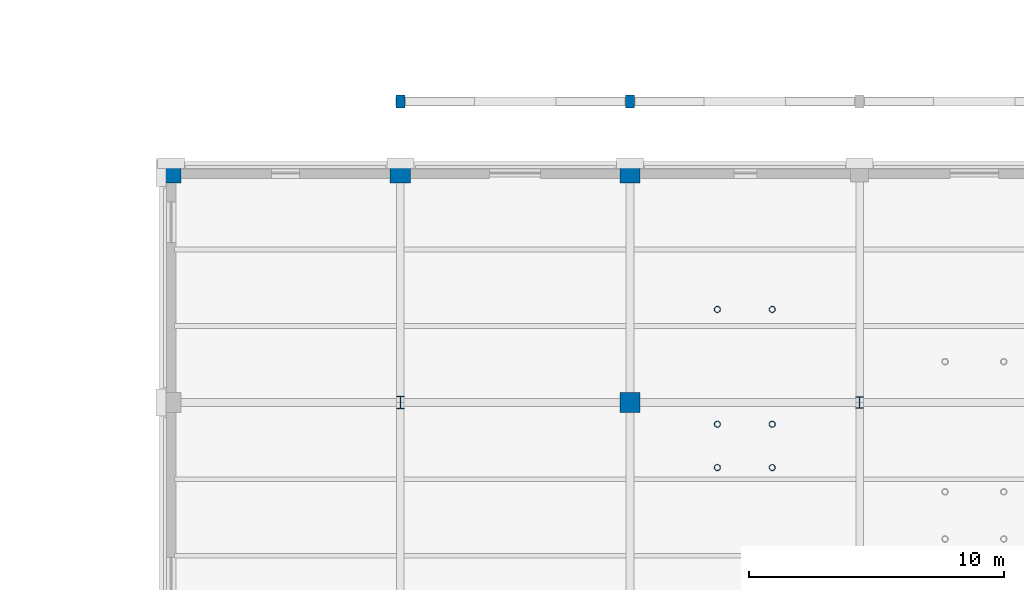
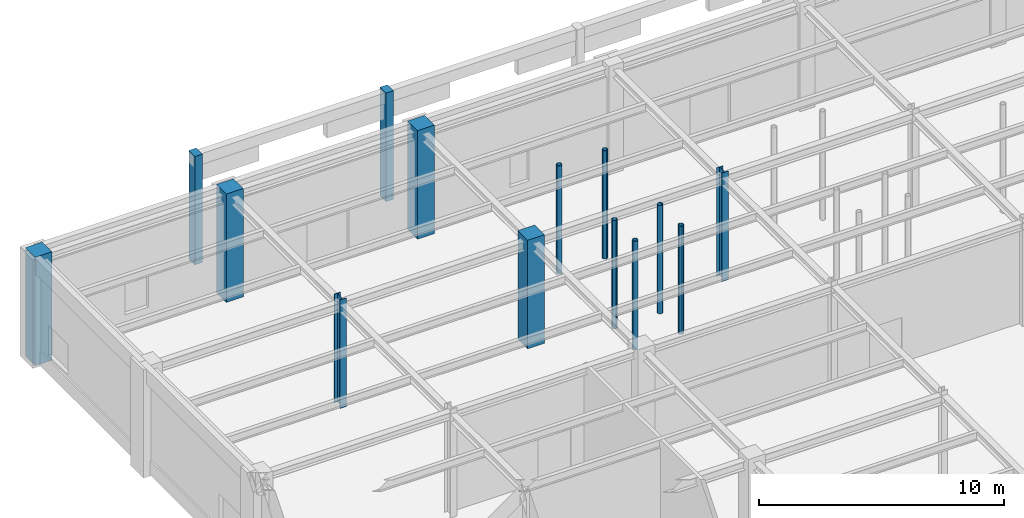
# One storey, part 9 of 77: 14 columns.
"""IFC4 building model written with IfcOpenShell, lengths in metres."""

from ifc_helpers import new_model, si_unit, direction, frame, origin, origin_2d, place, context, subcontext, project, spatial, rectangle, hollow_circle, i_section, extrude, material, material_profile, profile_set, type_object, element, save


model = new_model("IFC4")

# Units and contexts
model_context = context("Model", 3, precision=1e-05, world=origin(), true_north=direction((0.0, 1.0)))
body_context = subcontext(model_context, "Body", "Model", "MODEL_VIEW")
ifc_project = project(units=[si_unit("LENGTHUNIT", "METRE"), si_unit("AREAUNIT", "SQUARE_METRE"), si_unit("VOLUMEUNIT", "CUBIC_METRE"), si_unit("PLANEANGLEUNIT", "RADIAN"), si_unit("MASSUNIT", "GRAM", prefix="KILO")], contexts=[model_context])

# Site, building, storey
site_placement = place(None, origin())
site = spatial("IfcSite", under=ifc_project, at=site_placement, CompositionType="ELEMENT")
building_placement = place(site_placement, origin())
building = spatial("IfcBuilding", under=site, at=building_placement, Name="Lykobir Media Centre", CompositionType="ELEMENT")
storey_placement = place(building_placement, origin())
storey = spatial("IfcBuildingStorey", under=building, at=storey_placement, Name="L00", CompositionType="ELEMENT", Elevation=0.0)

# Columns
ifc_material_1 = material(Name="Honed Travertine Stone", Category="masonry")
ifc_material_profile_1 = material_profile(ifc_material_1, rectangle(XDim=0.35009765625, YDim=0.5, at=origin_2d()), Name="RC PILASTER 500x350")
ifc_profile_set_1 = profile_set([ifc_material_profile_1], Name="Honed Travertine Stone")
column_type_1 = type_object("IfcColumnType", Name="PIL-500", PredefinedType="PILASTER", material=ifc_profile_set_1)
for number, where, z_axis, x_axis, name in (
    (1, (36.0, 110.800048828125, 0.0), (0.0, 0.0, 1.0), (1.0, 0.0, 0.0), "North Revak L00 portico pier 36.0"),
    (2, (45.0, 110.800048828125, 0.0), (0.0, 0.0, 1.0), (1.0, 0.0, 0.0), "North Revak L00 portico pier 45.0"),
):
    element("IfcColumn", number, at=place(storey_placement, frame(where, z_axis=z_axis, x_axis=x_axis)), inside=storey, type_object=column_type_1, Name=name, PredefinedType="PILASTER", context=body_context, shape_type="SweptSolid", body=[
        extrude(rectangle(XDim=0.35009765625, YDim=0.5, at=origin_2d()), origin(), (0.0, 0.0, 1.0), 5.39990234375),
    ])
ifc_material_2 = material(Name="Concrete C40/50", Category="concrete")
ifc_material_profile_2 = material_profile(ifc_material_2, rectangle(XDim=0.800048828125, YDim=0.800048828125, at=origin_2d()), Name="RC 800x800")
ifc_profile_set_2 = profile_set([ifc_material_profile_2], Name="Concrete C40/50")
column_type_2 = type_object("IfcColumnType", Name="RC-C800", PredefinedType="COLUMN", material=ifc_profile_set_2)
column_1_placement = place(storey_placement, frame((45.0, 99.0, 0.0), z_axis=(0.0, 0.0, 1.0), x_axis=(1.0, 0.0, 0.0)))
element("IfcColumn", 3, at=column_1_placement, inside=storey, type_object=column_type_2, Name="Column COL-L00-0450-0990", PredefinedType="COLUMN", context=body_context, shape_type="SweptSolid", body=[
    extrude(rectangle(XDim=0.800048828125, YDim=0.800048828125, at=origin_2d()), origin(), (0.0, 0.0, 1.0), 5.39990234375),
])
ifc_material_profile_3 = material_profile(ifc_material_2, rectangle(XDim=0.800048828125, YDim=0.800048828125, at=origin_2d()), Name="RC 800x800")
ifc_profile_set_3 = profile_set([ifc_material_profile_3], Name="Concrete C40/50")
column_type_3 = type_object("IfcColumnType", Name="RC-C800-E", PredefinedType="COLUMN", material=ifc_profile_set_3)
for number, where, z_axis, x_axis, name in (
    (4, (27.0, 108.0, 0.0), (0.0, 0.0, 1.0), (1.0, 0.0, 0.0), "Column COL-L00-0270-1080"),
    (5, (36.0, 108.0, 0.0), (0.0, 0.0, 1.0), (1.0, 0.0, 0.0), "Column COL-L00-0360-1080"),
    (6, (45.0, 108.0, 0.0), (0.0, 0.0, 1.0), (1.0, 0.0, 0.0), "Column COL-L00-0450-1080"),
):
    element("IfcColumn", number, at=place(storey_placement, frame(where, z_axis=z_axis, x_axis=x_axis)), inside=storey, type_object=column_type_3, Name=name, PredefinedType="COLUMN", context=body_context, shape_type="SweptSolid", body=[
        extrude(rectangle(XDim=0.800048828125, YDim=0.800048828125, at=origin_2d()), origin(), (0.0, 0.0, 1.0), 5.39990234375),
    ])
ifc_material_3 = material(Name="Steel S355", Category="steel")
ifc_material_profile_4 = material_profile(ifc_material_3, hollow_circle(Radius=0.122314453125, WallThickness=0.012451171875, at=origin_2d()), Name="CHS 244.5x12.5")
ifc_profile_set_4 = profile_set([ifc_material_profile_4], Name="Steel S355")
column_type_4 = type_object("IfcColumnType", Name="SC-CHS244", PredefinedType="COLUMN", material=ifc_profile_set_4)
for number, where, z_axis, x_axis, name in (
    (7, (48.425048828125, 96.449951171875, 0.0), (0.0, 0.0, 1.0), (1.0, 0.0, 0.0), "Valley stair column L00 4-484-964"),
    (8, (48.425048828125, 98.14990234375, 0.0), (0.0, 0.0, 1.0), (1.0, 0.0, 0.0), "Valley stair column L00 4-484-982"),
    (9, (50.574951171875, 96.449951171875, 0.0), (0.0, 0.0, 1.0), (1.0, 0.0, 0.0), "Valley stair column L00 4-506-964"),
    (10, (50.574951171875, 98.14990234375, 0.0), (0.0, 0.0, 1.0), (1.0, 0.0, 0.0), "Valley stair column L00 4-506-982"),
    (11, (48.425048828125, 102.64990234375, 0.0), (0.0, 0.0, 1.0), (1.0, 0.0, 0.0), "Valley arrival column L00 A4-484"),
    (12, (50.574951171875, 102.64990234375, 0.0), (0.0, 0.0, 1.0), (1.0, 0.0, 0.0), "Valley arrival column L00 A4-506"),
):
    element("IfcColumn", number, at=place(storey_placement, frame(where, z_axis=z_axis, x_axis=x_axis)), inside=storey, type_object=column_type_4, Name=name, PredefinedType="COLUMN", context=body_context, shape_type="SweptSolid", body=[
        extrude(hollow_circle(Radius=0.122314453125, WallThickness=0.012451171875, at=origin_2d()), origin(), (0.0, 0.0, 1.0), 5.39990234375),
    ])
ifc_material_profile_5 = material_profile(ifc_material_3, i_section(OverallWidth=0.300048828125, OverallDepth=0.449951171875, WebThickness=0.013916015625, FlangeThickness=0.02587890625, at=origin_2d()), Name="HEB 450")
ifc_profile_set_5 = profile_set([ifc_material_profile_5], Name="Steel S355")
column_type_5 = type_object("IfcColumnType", Name="SC-HEB450", PredefinedType="COLUMN", material=ifc_profile_set_5)
column_2_placement = place(storey_placement, frame((54.0, 99.0, 0.0), z_axis=(0.0, 0.0, 1.0), x_axis=(1.0, 0.0, 0.0)))
element("IfcColumn", 13, at=column_2_placement, inside=storey, type_object=column_type_5, Name="Column COL-L00-0540-0990", PredefinedType="COLUMN", context=body_context, shape_type="SweptSolid", body=[
    extrude(i_section(OverallWidth=0.300048828125, OverallDepth=0.449951171875, WebThickness=0.013916015625, FlangeThickness=0.02587890625, at=origin_2d()), origin(), (0.0, 0.0, 1.0), 5.39990234375),
])
ifc_material_profile_6 = material_profile(ifc_material_3, i_section(OverallWidth=0.300048828125, OverallDepth=0.5, WebThickness=0.014404296875, FlangeThickness=0.028076171875, at=origin_2d()), Name="HEB 500")
ifc_profile_set_6 = profile_set([ifc_material_profile_6], Name="Steel S355")
column_type_6 = type_object("IfcColumnType", Name="SC-HEB500", PredefinedType="COLUMN", material=ifc_profile_set_6)
column_3_placement = place(storey_placement, frame((36.0, 99.0, 0.0), z_axis=(0.0, 0.0, 1.0), x_axis=(1.0, 0.0, 0.0)))
element("IfcColumn", 14, at=column_3_placement, inside=storey, type_object=column_type_6, Name="Column COL-L00-0360-0990", PredefinedType="COLUMN", context=body_context, shape_type="SweptSolid", body=[
    extrude(i_section(OverallWidth=0.300048828125, OverallDepth=0.5, WebThickness=0.014404296875, FlangeThickness=0.028076171875, at=origin_2d()), origin(), (0.0, 0.0, 1.0), 5.39990234375),
])

save(model, "model.ifc")
